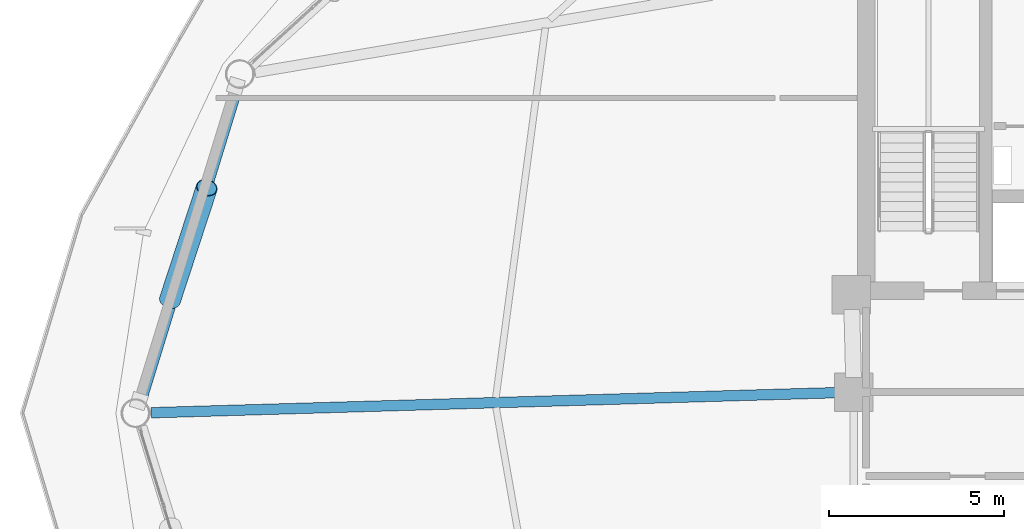
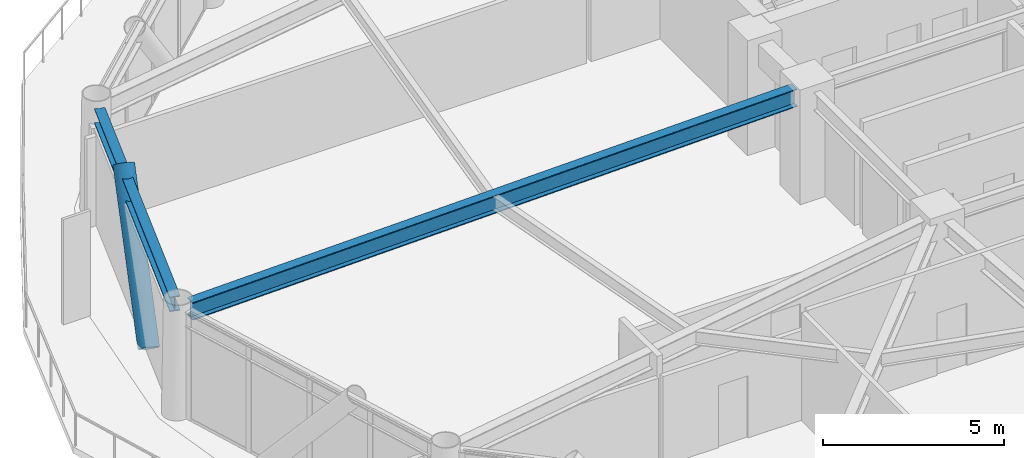
# One storey, part 8 of 23: 2 beams, 1 member.
"""IFC4 building model written with IfcOpenShell, lengths in metres."""

from ifc_helpers import new_model, si_unit, direction, frame, origin, origin_2d, place, context, subcontext, project, spatial, hollow_circle, i_section, extrude, material, material_profile, profile_set, type_object, element, save


model = new_model("IFC4")

# Units and contexts
model_context = context("Model", 3, precision=1e-05, world=origin(), true_north=direction((0.0, 1.0)))
body_context = subcontext(model_context, "Body", "Model", "MODEL_VIEW")
ifc_project = project(units=[si_unit("LENGTHUNIT", "METRE"), si_unit("AREAUNIT", "SQUARE_METRE"), si_unit("VOLUMEUNIT", "CUBIC_METRE"), si_unit("PLANEANGLEUNIT", "RADIAN"), si_unit("MASSUNIT", "GRAM", prefix="KILO")], contexts=[model_context])

# Site, building, storey
site_placement = place(None, origin())
site = spatial("IfcSite", under=ifc_project, at=site_placement, CompositionType="ELEMENT")
building_placement = place(site_placement, origin())
building = spatial("IfcBuilding", under=site, at=building_placement, Name="Varnakorn Sky Granary", CompositionType="ELEMENT")
storey_placement = place(building_placement, frame((0.0, 0.0, 114.89990234375)))
storey = spatial("IfcBuildingStorey", under=building, at=storey_placement, Name="L28", CompositionType="ELEMENT", Elevation=114.89990234375)

# Beams
ifc_material_1 = material(Name="Steel S355JR", Category="steel")
ifc_material_profile_1 = material_profile(ifc_material_1, i_section(OverallWidth=0.300048828125, OverallDepth=0.60009765625, WebThickness=0.015380859375, FlangeThickness=0.030029296875, at=origin_2d()), Name="HE 600 B")
ifc_profile_set_1 = profile_set([ifc_material_profile_1], Name="Steel S355JR")
beam_type_1 = type_object("IfcBeamType", Name="BM-RAD-Z2", PredefinedType="BEAM", material=ifc_profile_set_1)
beam_1_placement = place(storey_placement, frame((-2.769775390625, 0.587646484375, 3.340087890625), z_axis=(-0.999570657573, -0.029300179502, 0.0), x_axis=(0.029300179502, -0.999570657573, 0.0)))
element("IfcBeam", 1, at=beam_1_placement, inside=storey, type_object=beam_type_1, Name="Radial Floor Girder RG07 L28", PredefinedType="BEAM", context=body_context, shape_type="SweptSolid", body=[
    extrude(i_section(OverallWidth=0.300048828125, OverallDepth=0.60009765625, WebThickness=0.015380859375, FlangeThickness=0.030029296875, at=origin_2d()), origin(), (0.0, 0.0, 1.0), 19.66455078125),
])
ifc_material_profile_2 = material_profile(ifc_material_1, i_section(OverallWidth=0.300048828125, OverallDepth=0.5, WebThickness=0.014404296875, FlangeThickness=0.028076171875, at=origin_2d()), Name="HE 500 B")
ifc_profile_set_2 = profile_set([ifc_material_profile_2], Name="Steel S355JR")
beam_type_2 = type_object("IfcBeamType", Name="BM-SPD-Z2", PredefinedType="SPANDREL", material=ifc_profile_set_2)
beam_2_placement = place(storey_placement, frame((-19.959228515625, 9.292724609375, 3.39013671875), z_axis=(-0.293942430688, -0.955823125605, 0.0), x_axis=(0.955823125605, -0.293942430688, 0.0)))
element("IfcBeam", 2, at=beam_2_placement, inside=storey, type_object=beam_type_2, Name="Perimeter Spandrel Ring Beam RB06 L28", PredefinedType="SPANDREL", context=body_context, shape_type="SweptSolid", body=[
    extrude(i_section(OverallWidth=0.300048828125, OverallDepth=0.5, WebThickness=0.014404296875, FlangeThickness=0.028076171875, at=origin_2d()), origin(), (0.0, 0.0, 1.0), 9.33056640625),
])

# Member
ifc_material_2 = material(Name="Steel S460M", Category="steel")
ifc_material_profile_3 = material_profile(ifc_material_2, hollow_circle(Radius=0.304931640625, WallThickness=0.022216796875, at=origin_2d()), Name="CHS 610x22")
ifc_profile_set_3 = profile_set([ifc_material_profile_3], Name="Steel S460M")
member_type = type_object("IfcMemberType", Name="MB-DIAG-T1", PredefinedType="BRACE", material=ifc_profile_set_3)
member_placement = place(storey_placement, frame((-21.88916015625, 3.230224609375, -0.1298828125), z_axis=(0.203556186087, 0.620806288168, 0.757076239012), x_axis=(-0.950223586259, 0.311568830463, 0.0)))
element("IfcMember", 3, at=member_placement, inside=storey, type_object=member_type, Name="Perimeter CHS Diagrid Brace DG06 L28", PredefinedType="BRACE", context=body_context, shape_type="SweptSolid", body=[
    extrude(hollow_circle(Radius=0.304931640625, WallThickness=0.022216796875, at=origin_2d()), origin(), (0.0, 0.0, 1.0), 5.177734375),
])

save(model, "model.ifc")
